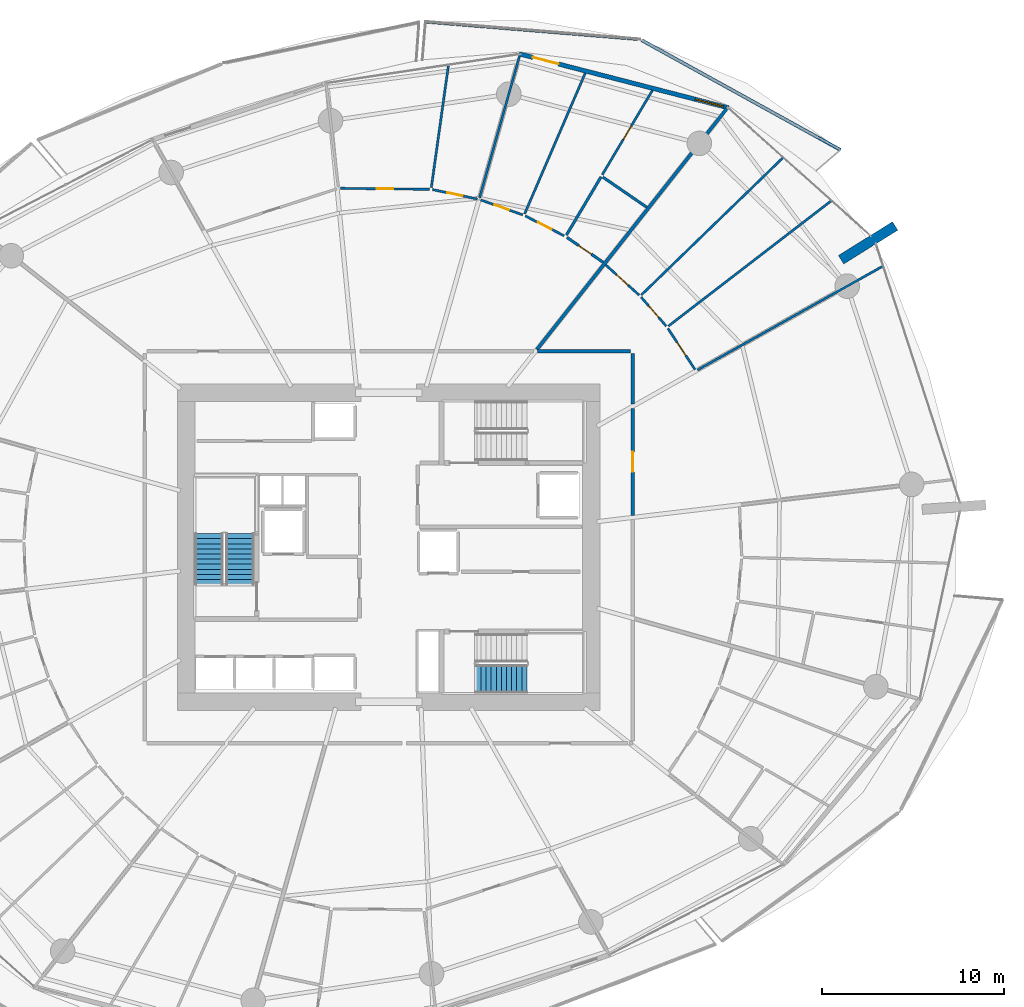
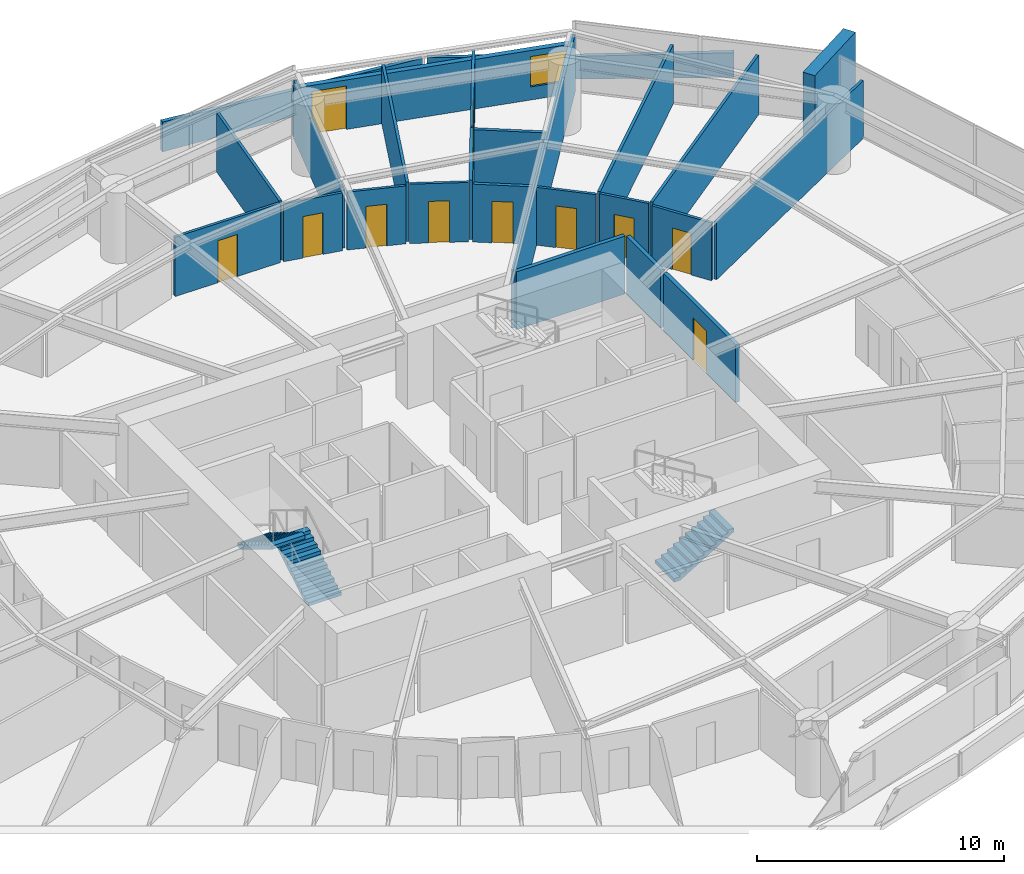
# One storey, part 22 of 30: 25 walls, 11 doors, 3 stair flights, 1 window, 12 openings, 2 elements without a shape of their own.
"""IFC4 building model written with IfcOpenShell, lengths in metres."""

from ifc_helpers import new_model, si_unit, direction, frame, frame_2d, origin, place, context, subcontext, project, spatial, polyline, rectangle, outline, extrude, material, layer, layer_set, type_object, element, fill, aggregate, save


model = new_model("IFC4")

# Units and contexts
model_context = context("Model", 3, precision=1e-05, world=origin(), true_north=direction((0.0, 1.0)))
body_context = subcontext(model_context, "Body", "Model", "MODEL_VIEW")
ifc_project = project(units=[si_unit("LENGTHUNIT", "METRE"), si_unit("AREAUNIT", "SQUARE_METRE"), si_unit("VOLUMEUNIT", "CUBIC_METRE"), si_unit("PLANEANGLEUNIT", "RADIAN"), si_unit("MASSUNIT", "GRAM", prefix="KILO")], contexts=[model_context])

# Site, building, storey
site_placement = place(None, origin())
site = spatial("IfcSite", under=ifc_project, at=site_placement, CompositionType="ELEMENT")
building_placement = place(site_placement, origin())
building = spatial("IfcBuilding", under=site, at=building_placement, Name="Kazma Halo Residences", CompositionType="ELEMENT")
storey_placement = place(building_placement, frame((0.0, 0.0, 56.39990234375)))
storey = spatial("IfcBuildingStorey", under=building, at=storey_placement, Name="L13", CompositionType="ELEMENT", Elevation=56.39990234375)

# Walls
ifc_material_1 = material(Name="White Concrete C50/60 Balustrade", Category="concrete")
ifc_layer_1 = layer(ifc_material_1, 0.179931640625)
ifc_layer_set_1 = layer_set([ifc_layer_1], Name="White Concrete C50/60 Balustrade")
wall_type_1 = type_object("IfcWallType", Name="WL-BAL-WAVE-180", PredefinedType="PARAPET", material=ifc_layer_set_1)
wall_1_placement = place(storey_placement, frame((73.197509765625, 63.7880859375, 0.0), z_axis=(0.0, 0.0, 1.0), x_axis=(-0.875453203816, 0.483302894599, 0.0)))
element("IfcWall", 1, at=wall_1_placement, inside=storey, type_object=wall_type_1, Name="L13 white wave balustrade wall NE.1", PredefinedType="PARAPET", context=body_context, shape_type="SweptSolid", body=[
    extrude(outline(polyline([(0.0, 0.0), (12.4462890625, 0.0), (12.4462890625, 1.148193359375), (6.22314453125, 1.127197265625), (0.0, 1.22412109375), (0.0, 0.0)])), frame((0.0, 0.08984375, 0.0), z_axis=(0.0, -1.0, 0.0), x_axis=(1.0, 0.0, 0.0)), (0.0, 0.0, 1.0), 0.179931640625),
])
wall_2_placement = place(storey_placement, frame((62.076416015625, 69.87109375, 0.0), z_axis=(0.0, 0.0, 1.0), x_axis=(-0.996665753963, 0.081592737892, 0.0)))
element("IfcWall", 2, at=wall_2_placement, inside=storey, type_object=wall_type_1, Name="L13 white wave balustrade wall NE.2", PredefinedType="PARAPET", context=body_context, shape_type="SweptSolid", body=[
    extrude(outline(polyline([(0.0, 0.0), (11.66943359375, 0.0), (11.669677734375, 1.483154296875), (5.8349609375, 1.2841796875), (0.0, 1.148193359375), (0.0, 0.0)])), frame((0.0, 0.08984375, 0.0), z_axis=(0.0, -1.0, 0.0), x_axis=(1.0, 0.0, 0.0)), (0.0, 0.0, 1.0), 0.179931640625),
])
ifc_material_2 = material(Name="Pale Concrete C60/75", Category="concrete")
ifc_layer_2 = layer(ifc_material_2, 0.550048828125)
ifc_layer_set_2 = layer_set([ifc_layer_2], Name="Pale Concrete C60/75")
wall_type_2 = type_object("IfcWallType", Name="WL-BLADE-550", PredefinedType="SOLIDWALL", material=ifc_layer_set_2)
wall_3_placement = place(storey_placement, frame((73.229736328125, 57.765380859375, 0.0), z_axis=(0.0, 0.0, 1.0), x_axis=(0.848053161125, 0.529911158502, 0.0)))
element("IfcWall", 3, at=wall_3_placement, inside=storey, type_object=wall_type_2, Name="L13 pale concrete structural blade fin wall BW-01", PredefinedType="SOLIDWALL", context=body_context, shape_type="SweptSolid", body=[
    extrude(rectangle(XDim=3.5, YDim=0.550048828125, at=frame_2d((1.75, 0.0))), origin(), (0.0, 0.0, 1.0), 3.75),
])
ifc_material_3 = material(Name="Acoustic Twin-Stud Gypsum")
ifc_layer_3 = layer(ifc_material_3, 0.179931640625)
ifc_layer_set_3 = layer_set([ifc_layer_3], Name="Acoustic Twin-Stud Gypsum")
wall_type_3 = type_object("IfcWallType", Name="WL-DEM-180", PredefinedType="PARTITIONING", material=ifc_layer_set_3)
wall_4_placement = place(storey_placement, frame((56.542724609375, 52.83642578125, 0.0), z_axis=(0.0, 0.0, 1.0), x_axis=(0.619091569947, 0.785318806614, 0.0)))
element("IfcWall", 4, at=wall_4_placement, inside=storey, type_object=wall_type_3, Name="L13 apartment demising radial wall 01", PredefinedType="PARTITIONING", context=body_context, shape_type="SweptSolid", body=[
    extrude(rectangle(XDim=16.87548828125, YDim=0.179931640625, at=frame_2d((8.437744140625, 0.0))), origin(), (0.0, 0.0, 1.0), 2.8671875),
])

# Wall, opening, door
wall_5_placement = place(storey_placement, frame((61.800048828125, 43.75341796875, 0.0), z_axis=(0.0, 0.0, 1.0), x_axis=(0.0, 1.0, 0.0)))
wall_5 = element("IfcWall", 5, at=wall_5_placement, inside=storey, type_object=wall_type_3, Name="L13 Apartment 4 entrance corridor wall", PredefinedType="PARTITIONING", context=body_context, shape_type="SweptSolid", body=[
    extrude(rectangle(XDim=5.85498046875, YDim=0.179931640625, at=frame_2d((2.927490234375, 0.0))), origin(), (0.0, 0.0, 1.0), 2.8671875),
])
opening_1_placement = place(wall_5_placement, frame((2.377685546875, 0.0, 0.0)))
opening_1 = element("IfcOpeningElement", 6, at=opening_1_placement, cuts=wall_5, Name="Opening DA-1100", PredefinedType="OPENING", context=body_context, shape_type="SweptSolid", body=[
    extrude(rectangle(XDim=1.10009765625, YDim=2.10009765625, at=frame_2d((0.550048828125, 1.050048828125))), frame((0.0, 0.099853515625, 0.0), z_axis=(0.0, -1.0, 0.0), x_axis=(1.0, 0.0, 0.0)), (0.0, 0.0, 1.0), 0.199951171875),
])
ifc_material_4 = material(Name="Acoustic Walnut Fire Leaf")
door_type_1 = type_object("IfcDoorType", Name="DR-FD60-1100", OperationType="NOTDEFINED", PredefinedType="DOOR", material=ifc_material_4)
door_1_placement = place(opening_1_placement, origin())
door_1 = element("IfcDoor", 7, at=door_1_placement, inside=storey, type_object=door_type_1, Name="L13 Apartment 4 entrance fire door", OperationType="SINGLE_SWING_RIGHT", OverallHeight=2.10009765625, OverallWidth=1.10009765625, PredefinedType="DOOR", context=body_context, shape_type="SweptSolid", body=[
    extrude(rectangle(XDim=1.10009765625, YDim=2.10009765625, at=frame_2d((0.550048828125, 1.050048828125))), frame((0.0, 0.02490234375, 0.0), z_axis=(0.0, -1.0, 0.0), x_axis=(1.0, 0.0, 0.0)), (0.0, 0.0, 1.0), 0.050048828125),
])
fill(opening_1, door_1)

# Walls
wall_6_placement = place(storey_placement, frame((61.800048828125, 49.848388671875, 0.0), z_axis=(0.0, 0.0, 1.0), x_axis=(0.0, 1.0, 0.0)))
element("IfcWall", 8, at=wall_6_placement, inside=storey, type_object=wall_type_3, Name="L13 Apartment 4 inner wall 0", PredefinedType="PARTITIONING", context=body_context, shape_type="SweptSolid", body=[
    extrude(rectangle(XDim=2.781494140625, YDim=0.179931640625, at=frame_2d((1.390625, 0.0))), origin(), (0.0, 0.0, 1.0), 2.8671875),
])
wall_7_placement = place(storey_placement, frame((61.679931640625, 52.75, 0.0), z_axis=(0.0, 0.0, 1.0), x_axis=(-1.0, 0.0, 0.0)))
element("IfcWall", 9, at=wall_7_placement, inside=storey, type_object=wall_type_3, Name="L13 Apartment 4 inner wall 0", PredefinedType="PARTITIONING", context=body_context, shape_type="SweptSolid", body=[
    extrude(rectangle(XDim=5.08544921875, YDim=0.179931640625, at=frame_2d((2.542724609375, 0.0))), origin(), (0.0, 0.0, 1.0), 2.8671875),
])

# Wall, openings, door, window
ifc_material_5 = material(Name="Insulated Pale-Metal Composite Wall")
ifc_layer_4 = layer(ifc_material_5, 0.239990234375)
ifc_layer_set_4 = layer_set([ifc_layer_4], Name="Insulated Pale-Metal Composite Wall")
wall_type_4 = type_object("IfcWallType", Name="WL-EXT-HOST-240", PredefinedType="SOLIDWALL", material=ifc_layer_set_4)
wall_8_placement = place(storey_placement, frame((67.05419921875, 66.09619140625, 0.0), z_axis=(0.0, 0.0, 1.0), x_axis=(-0.96833871487, 0.249640007378, 0.0)))
wall_8 = element("IfcWall", 10, at=wall_8_placement, inside=storey, type_object=wall_type_4, Name="L13 exterior terrace-access wall B02", PredefinedType="SOLIDWALL", context=body_context, shape_type="SweptSolid", body=[
    extrude(rectangle(XDim=11.85107421875, YDim=0.239990234375, at=frame_2d((5.925537109375, 0.0))), origin(), (0.0, 0.0, 1.0), 2.4501953125),
])
opening_2_placement = place(wall_8_placement, frame((9.631103515625, 0.0, 0.0)))
opening_2 = element("IfcOpeningElement", 11, at=opening_2_placement, cuts=wall_8, Name="Opening DTR-1600", PredefinedType="OPENING", context=body_context, shape_type="SweptSolid", body=[
    extrude(rectangle(XDim=1.449951171875, YDim=2.14990234375, at=frame_2d((0.72509765625, 1.074951171875))), frame((0.0, 0.1298828125, 0.0), z_axis=(0.0, -1.0, 0.0), x_axis=(1.0, 0.0, 0.0)), (0.0, 0.0, 1.0), 0.260009765625),
])
opening_3_placement = place(wall_8_placement, frame((0.280029296875, 0.0, 0.64990234375)))
opening_3 = element("IfcOpeningElement", 12, at=opening_3_placement, cuts=wall_8, Name="Opening W-1800", PredefinedType="OPENING", context=body_context, shape_type="SweptSolid", body=[
    extrude(rectangle(XDim=1.60009765625, YDim=1.5, at=frame_2d((0.800048828125, 0.75))), frame((0.0, 0.1298828125, 0.0), z_axis=(0.0, -1.0, 0.0), x_axis=(1.0, 0.0, 0.0)), (0.0, 0.0, 1.0), 0.260009765625),
])
ifc_material_6 = material(Name="Aluminium AW-6063 T6 Double-Glazed Terrace Door", Category="aluminium")
door_type_2 = type_object("IfcDoorType", Name="DR-EXT-TERR-1600", OperationType="NOTDEFINED", PredefinedType="DOOR", material=ifc_material_6)
door_2_placement = place(opening_2_placement, origin())
door_2 = element("IfcDoor", 13, at=door_2_placement, inside=storey, type_object=door_type_2, Name="L13 B02 balcony terrace door", OperationType="DOUBLE_DOOR_SLIDING", OverallHeight=2.14990234375, OverallWidth=1.449951171875, PredefinedType="DOOR", context=body_context, shape_type="SweptSolid", body=[
    extrude(rectangle(XDim=1.449951171875, YDim=2.14990234375, at=frame_2d((0.72509765625, 1.074951171875))), frame((0.0, 0.02490234375, 0.0), z_axis=(0.0, -1.0, 0.0), x_axis=(1.0, 0.0, 0.0)), (0.0, 0.0, 1.0), 0.050048828125),
])
fill(opening_2, door_2)
ifc_material_7 = material(Name="Clear Triple-Silver Low-E Glass in Aluminium AW-6063 T6 Frame", Category="aluminium")
window_type = type_object("IfcWindowType", Name="WIN-RES-1800", PartitioningType="DOUBLE_PANEL_VERTICAL", PredefinedType="WINDOW", material=ifc_material_7)
window_placement = place(opening_3_placement, origin())
window = element("IfcWindow", 14, at=window_placement, inside=storey, type_object=window_type, Name="L13 B02 apartment window", OverallHeight=1.5, OverallWidth=1.60009765625, PartitioningType="SINGLE_PANEL", PredefinedType="WINDOW", context=body_context, shape_type="SweptSolid", body=[
    extrude(rectangle(XDim=1.60009765625, YDim=1.5, at=frame_2d((0.800048828125, 0.75))), frame((0.0, 0.030029296875, 0.0), z_axis=(0.0, -1.0, 0.0), x_axis=(1.0, 0.0, 0.0)), (0.0, 0.0, 1.0), 0.06005859375),
])
fill(opening_3, window)

# Wall, opening, door
ifc_material_8 = material(Name="Gypsum Plasterboard Partition")
ifc_layer_5 = layer(ifc_material_8, 0.125)
ifc_layer_set_5 = layer_set([ifc_layer_5], Name="Gypsum Plasterboard Partition")
wall_type_5 = type_object("IfcWallType", Name="WL-PART-125", PredefinedType="PARTITIONING", material=ifc_layer_set_5)
wall_9_placement = place(storey_placement, frame((60.135009765625, 62.427490234375, 0.0), z_axis=(0.0, 0.0, 1.0), x_axis=(0.510709816394, 0.859753152619, 0.0)))
wall_9 = element("IfcWall", 15, at=wall_9_placement, inside=storey, type_object=wall_type_5, Name="L13 Apartment 1 Utility Laundry Room partition wall", PredefinedType="PARTITIONING", context=body_context, shape_type="SweptSolid", body=[
    extrude(rectangle(XDim=5.37451171875, YDim=0.125, at=frame_2d((2.687255859375, 0.0))), origin(), (0.0, 0.0, 1.0), 2.940185546875),
])
opening_4_placement = place(wall_9_placement, frame((2.262451171875, 0.0, 0.0)))
opening_4 = element("IfcOpeningElement", 16, at=opening_4_placement, cuts=wall_9, Name="Opening DB-900", PredefinedType="OPENING", context=body_context, shape_type="SweptSolid", body=[
    extrude(rectangle(XDim=0.85009765625, YDim=2.06005859375, at=frame_2d((0.425048828125, 1.030029296875))), frame((0.0, 0.072509765625, 0.0), z_axis=(0.0, -1.0, 0.0), x_axis=(1.0, 0.0, 0.0)), (0.0, 0.0, 1.0), 0.14501953125),
])
ifc_material_9 = material(Name="Moisture-Sealed Timber Leaf", Category="wood")
door_type_3 = type_object("IfcDoorType", Name="DR-BTH-900", OperationType="NOTDEFINED", PredefinedType="DOOR", material=ifc_material_9)
door_3_placement = place(opening_4_placement, origin())
door_3 = element("IfcDoor", 17, at=door_3_placement, inside=storey, type_object=door_type_3, Name="L13 Apartment 1 Utility Laundry Room door", OperationType="SINGLE_SWING_RIGHT", OverallHeight=2.06005859375, OverallWidth=0.85009765625, PredefinedType="DOOR", context=body_context, shape_type="SweptSolid", body=[
    extrude(rectangle(XDim=0.85009765625, YDim=2.06005859375, at=frame_2d((0.425048828125, 1.030029296875))), frame((0.0, 0.02490234375, 0.0), z_axis=(0.0, -1.0, 0.0), x_axis=(1.0, 0.0, 0.0)), (0.0, 0.0, 1.0), 0.050048828125),
])
fill(opening_4, door_3)

# Wall
wall_10_placement = place(storey_placement, frame((55.877197265625, 60.285400390625, 0.0), z_axis=(0.0, 0.0, 1.0), x_axis=(0.395645788366, 0.918403184962, 0.0)))
element("IfcWall", 18, at=wall_10_placement, inside=storey, type_object=wall_type_5, Name="L13 Apartment 1 suite divider 1", PredefinedType="PARTITIONING", context=body_context, shape_type="SweptSolid", body=[
    extrude(rectangle(XDim=8.393310546875, YDim=0.125, at=frame_2d((4.19677734375, 0.0))), origin(), (0.0, 0.0, 1.0), 2.940185546875),
])

# Wall, opening, door
wall_11_placement = place(storey_placement, frame((58.04248046875, 59.0810546875, 0.0), z_axis=(0.0, 0.0, 1.0), x_axis=(-0.890948282324, 0.454104787712, 0.0)))
wall_11 = element("IfcWall", 19, at=wall_11_placement, inside=storey, type_object=wall_type_5, Name="L13 Apartment 1 Gourmet Kitchen hall wall", PredefinedType="PARTITIONING", context=body_context, shape_type="SweptSolid", body=[
    extrude(rectangle(XDim=2.390380859375, YDim=0.125, at=frame_2d((1.1953125, 0.0))), origin(), (0.0, 0.0, 1.0), 2.940185546875),
])
opening_5_placement = place(wall_11_placement, frame((0.77001953125, 0.0, 0.0)))
opening_5 = element("IfcOpeningElement", 20, at=opening_5_placement, cuts=wall_11, Name="Opening DB-900", PredefinedType="OPENING", context=body_context, shape_type="SweptSolid", body=[
    extrude(rectangle(XDim=0.85009765625, YDim=2.06005859375, at=frame_2d((0.425048828125, 1.030029296875))), frame((0.0, 0.072509765625, 0.0), z_axis=(0.0, -1.0, 0.0), x_axis=(1.0, 0.0, 0.0)), (0.0, 0.0, 1.0), 0.14501953125),
])
door_4_placement = place(opening_5_placement, origin())
door_4 = element("IfcDoor", 21, at=door_4_placement, inside=storey, type_object=door_type_3, Name="L13 Apartment 1 Gourmet Kitchen door", OperationType="SINGLE_SWING_LEFT", OverallHeight=2.06005859375, OverallWidth=0.85009765625, PredefinedType="DOOR", context=body_context, shape_type="SweptSolid", body=[
    extrude(rectangle(XDim=0.85009765625, YDim=2.06005859375, at=frame_2d((0.425048828125, 1.030029296875))), frame((0.0, 0.02490234375, 0.0), z_axis=(0.0, -1.0, 0.0), x_axis=(1.0, 0.0, 0.0)), (0.0, 0.0, 1.0), 0.050048828125),
])
fill(opening_5, door_4)

wall_12_placement = place(storey_placement, frame((55.76611328125, 60.2294921875, 0.0), z_axis=(0.0, 0.0, 1.0), x_axis=(-0.942466522186, 0.334300545258, 0.0)))
wall_12 = element("IfcWall", 22, at=wall_12_placement, inside=storey, type_object=wall_type_5, Name="L13 Apartment 1 Primary Bedroom hall wall", PredefinedType="PARTITIONING", context=body_context, shape_type="SweptSolid", body=[
    extrude(rectangle(XDim=2.431884765625, YDim=0.125, at=frame_2d((1.2158203125, 0.0))), origin(), (0.0, 0.0, 1.0), 2.8671875),
])
opening_6_placement = place(wall_12_placement, frame((0.791015625, 0.0, 0.0)))
opening_6 = element("IfcOpeningElement", 23, at=opening_6_placement, cuts=wall_12, Name="Opening DB-900", PredefinedType="OPENING", context=body_context, shape_type="SweptSolid", body=[
    extrude(rectangle(XDim=0.85009765625, YDim=2.06005859375, at=frame_2d((0.425048828125, 1.030029296875))), frame((0.0, 0.072509765625, 0.0), z_axis=(0.0, -1.0, 0.0), x_axis=(1.0, 0.0, 0.0)), (0.0, 0.0, 1.0), 0.14501953125),
])
door_5_placement = place(opening_6_placement, origin())
door_5 = element("IfcDoor", 24, at=door_5_placement, inside=storey, type_object=door_type_3, Name="L13 Apartment 1 Primary Bedroom door", OperationType="SINGLE_SWING_RIGHT", OverallHeight=2.06005859375, OverallWidth=0.85009765625, PredefinedType="DOOR", context=body_context, shape_type="SweptSolid", body=[
    extrude(rectangle(XDim=0.85009765625, YDim=2.06005859375, at=frame_2d((0.425048828125, 1.030029296875))), frame((0.0, 0.02490234375, 0.0), z_axis=(0.0, -1.0, 0.0), x_axis=(1.0, 0.0, 0.0)), (0.0, 0.0, 1.0), 0.050048828125),
])
fill(opening_6, door_5)

# Walls
wall_13_placement = place(storey_placement, frame((53.406982421875, 61.172119140625, 0.0), z_axis=(0.0, 0.0, 1.0), x_axis=(0.271455844128, 0.96245089469, 0.0)))
element("IfcWall", 25, at=wall_13_placement, inside=storey, type_object=wall_type_5, Name="L13 Apartment 1 radial partition 2", PredefinedType="PARTITIONING", context=body_context, shape_type="SweptSolid", body=[
    extrude(rectangle(XDim=8.052001953125, YDim=0.125, at=frame_2d((4.02587890625, 0.0))), origin(), (0.0, 0.0, 1.0), 2.8671875),
])
wall_14_placement = place(storey_placement, frame((50.7587890625, 61.718017578125, 0.0), z_axis=(0.0, 0.0, 1.0), x_axis=(0.138600482332, 0.990348376228, 0.0)))
element("IfcWall", 26, at=wall_14_placement, inside=storey, type_object=wall_type_5, Name="L13 Apartment 1 mid-bay wall 2", PredefinedType="PARTITIONING", context=body_context, shape_type="SweptSolid", body=[
    extrude(rectangle(XDim=6.774658203125, YDim=0.125, at=frame_2d((3.38720703125, 0.0))), origin(), (0.0, 0.0, 1.0), 2.940185546875),
])

# Wall, opening, door
wall_15_placement = place(storey_placement, frame((53.281982421875, 61.096435546875, 0.0), z_axis=(0.0, 0.0, 1.0), x_axis=(-0.978666206656, 0.205456700911, 0.0)))
wall_15 = element("IfcWall", 27, at=wall_15_placement, inside=storey, type_object=wall_type_5, Name="L13 Apartment 1 Primary Dressing Wardrobe hall wall", PredefinedType="PARTITIONING", context=body_context, shape_type="SweptSolid", body=[
    extrude(rectangle(XDim=2.5107421875, YDim=0.125, at=frame_2d((1.25537109375, 0.0))), origin(), (0.0, 0.0, 1.0), 2.8671875),
])
opening_7_placement = place(wall_15_placement, frame((0.830322265625, 0.0, 0.0)))
opening_7 = element("IfcOpeningElement", 28, at=opening_7_placement, cuts=wall_15, Name="Opening DB-900", PredefinedType="OPENING", context=body_context, shape_type="SweptSolid", body=[
    extrude(rectangle(XDim=0.85009765625, YDim=2.06005859375, at=frame_2d((0.425048828125, 1.030029296875))), frame((0.0, 0.072509765625, 0.0), z_axis=(0.0, -1.0, 0.0), x_axis=(1.0, 0.0, 0.0)), (0.0, 0.0, 1.0), 0.14501953125),
])
door_6_placement = place(opening_7_placement, origin())
door_6 = element("IfcDoor", 29, at=door_6_placement, inside=storey, type_object=door_type_3, Name="L13 Apartment 1 Primary Dressing Wardrobe door", OperationType="SINGLE_SWING_RIGHT", OverallHeight=2.06005859375, OverallWidth=0.85009765625, PredefinedType="DOOR", context=body_context, shape_type="SweptSolid", body=[
    extrude(rectangle(XDim=0.85009765625, YDim=2.06005859375, at=frame_2d((0.425048828125, 1.030029296875))), frame((0.0, 0.02490234375, 0.0), z_axis=(0.0, -1.0, 0.0), x_axis=(1.0, 0.0, 0.0)), (0.0, 0.0, 1.0), 0.050048828125),
])
fill(opening_7, door_6)

wall_16_placement = place(storey_placement, frame((50.66650390625, 61.629638671875, 0.0), z_axis=(0.0, 0.0, 1.0), x_axis=(-0.999944126831, 0.010570866405, 0.0)))
wall_16 = element("IfcWall", 30, at=wall_16_placement, inside=storey, type_object=wall_type_5, Name="L13 Apartment 1 Secondary Master Bedroom hall wall", PredefinedType="PARTITIONING", context=body_context, shape_type="SweptSolid", body=[
    extrude(rectangle(XDim=4.896240234375, YDim=0.125, at=frame_2d((2.4482421875, 0.0))), origin(), (0.0, 0.0, 1.0), 2.940185546875),
])
opening_8_placement = place(wall_16_placement, frame((1.998046875, 0.0, 0.0)))
opening_8 = element("IfcOpeningElement", 31, at=opening_8_placement, cuts=wall_16, Name="Opening DI-950", PredefinedType="OPENING", context=body_context, shape_type="SweptSolid", body=[
    extrude(rectangle(XDim=0.89990234375, YDim=2.080078125, at=frame_2d((0.449951171875, 1.0400390625))), frame((0.0, 0.072509765625, 0.0), z_axis=(0.0, -1.0, 0.0), x_axis=(1.0, 0.0, 0.0)), (0.0, 0.0, 1.0), 0.14501953125),
])
ifc_material_10 = material(Name="Timber Veneer Flush Leaf", Category="wood")
door_type_4 = type_object("IfcDoorType", Name="DR-INT-950", OperationType="NOTDEFINED", PredefinedType="DOOR", material=ifc_material_10)
door_7_placement = place(opening_8_placement, origin())
door_7 = element("IfcDoor", 32, at=door_7_placement, inside=storey, type_object=door_type_4, Name="L13 Apartment 1 Secondary Master Bedroom door", OperationType="SINGLE_SWING_LEFT", OverallHeight=2.080078125, OverallWidth=0.89990234375, PredefinedType="DOOR", context=body_context, shape_type="SweptSolid", body=[
    extrude(rectangle(XDim=0.89990234375, YDim=2.080078125, at=frame_2d((0.449951171875, 1.0400390625))), frame((0.0, 0.02490234375, 0.0), z_axis=(0.0, -1.0, 0.0), x_axis=(1.0, 0.0, 0.0)), (0.0, 0.0, 1.0), 0.050048828125),
])
fill(opening_8, door_7)

# Walls
wall_17_placement = place(storey_placement, frame((65.3564453125, 51.72021484375, 0.0), z_axis=(0.0, 0.0, 1.0), x_axis=(0.872502798549, 0.488609114246, 0.0)))
element("IfcWall", 33, at=wall_17_placement, inside=storey, type_object=wall_type_5, Name="L13 Apartment 4 radial partition 0", PredefinedType="PARTITIONING", context=body_context, shape_type="SweptSolid", body=[
    extrude(rectangle(XDim=11.645751953125, YDim=0.125, at=frame_2d((5.82275390625, 0.0))), origin(), (0.0, 0.0, 1.0), 2.8671875),
])
wall_18_placement = place(storey_placement, frame((63.75830078125, 54.124755859375, 0.0), z_axis=(0.0, 0.0, 1.0), x_axis=(0.792564305335, 0.609788341893, 0.0)))
element("IfcWall", 34, at=wall_18_placement, inside=storey, type_object=wall_type_5, Name="L13 Apartment 4 bay wall 1 0", PredefinedType="PARTITIONING", context=body_context, shape_type="SweptSolid", body=[
    extrude(rectangle(XDim=11.253662109375, YDim=0.125, at=frame_2d((5.626953125, 0.0))), origin(), (0.0, 0.0, 1.0), 2.940185546875),
])
wall_19_placement = place(storey_placement, frame((62.278564453125, 55.8369140625, 0.0), z_axis=(0.0, 0.0, 1.0), x_axis=(0.718126223804, 0.695912872912, 0.0)))
element("IfcWall", 35, at=wall_19_placement, inside=storey, type_object=wall_type_5, Name="L13 Apartment 4 bay wall 2 0", PredefinedType="PARTITIONING", context=body_context, shape_type="SweptSolid", body=[
    extrude(rectangle(XDim=10.803955078125, YDim=0.125, at=frame_2d((5.40185546875, 0.0))), origin(), (0.0, 0.0, 1.0), 2.940185546875),
])

# Wall, opening, door
wall_20_placement = place(storey_placement, frame((65.22509765625, 51.738037109375, 0.0), z_axis=(0.0, 0.0, 1.0), x_axis=(-0.550602750552, 0.83476739939, 0.0)))
wall_20 = element("IfcWall", 36, at=wall_20_placement, inside=storey, type_object=wall_type_5, Name="L13 Apartment 4 East Master Bedroom hall wall", PredefinedType="PARTITIONING", context=body_context, shape_type="SweptSolid", body=[
    extrude(rectangle(XDim=2.713134765625, YDim=0.125, at=frame_2d((1.3564453125, 0.0))), origin(), (0.0, 0.0, 1.0), 2.8671875),
])
opening_9_placement = place(wall_20_placement, frame((0.931640625, 0.0, 0.0)))
opening_9 = element("IfcOpeningElement", 37, at=opening_9_placement, cuts=wall_20, Name="Opening DB-900", PredefinedType="OPENING", context=body_context, shape_type="SweptSolid", body=[
    extrude(rectangle(XDim=0.85009765625, YDim=2.06005859375, at=frame_2d((0.425048828125, 1.030029296875))), frame((0.0, 0.072509765625, 0.0), z_axis=(0.0, -1.0, 0.0), x_axis=(1.0, 0.0, 0.0)), (0.0, 0.0, 1.0), 0.14501953125),
])
door_8_placement = place(opening_9_placement, origin())
door_8 = element("IfcDoor", 38, at=door_8_placement, inside=storey, type_object=door_type_3, Name="L13 Apartment 4 East Master Bedroom door", OperationType="SINGLE_SWING_LEFT", OverallHeight=2.06005859375, OverallWidth=0.85009765625, PredefinedType="DOOR", context=body_context, shape_type="SweptSolid", body=[
    extrude(rectangle(XDim=0.85009765625, YDim=2.06005859375, at=frame_2d((0.425048828125, 1.030029296875))), frame((0.0, 0.02490234375, 0.0), z_axis=(0.0, -1.0, 0.0), x_axis=(1.0, 0.0, 0.0)), (0.0, 0.0, 1.0), 0.050048828125),
])
fill(opening_9, door_8)

wall_21_placement = place(storey_placement, frame((63.634765625, 54.13037109375, 0.0), z_axis=(0.0, 0.0, 1.0), x_axis=(-0.653975151298, 0.756516028571, 0.0)))
wall_21 = element("IfcWall", 39, at=wall_21_placement, inside=storey, type_object=wall_type_5, Name="L13 Apartment 4 West Dressing Wardrobe hall wall", PredefinedType="PARTITIONING", context=body_context, shape_type="SweptSolid", body=[
    extrude(rectangle(XDim=2.0927734375, YDim=0.125, at=frame_2d((1.04638671875, 0.0))), origin(), (0.0, 0.0, 1.0), 2.940185546875),
])
opening_10_placement = place(wall_21_placement, frame((0.621337890625, 0.0, 0.0)))
opening_10 = element("IfcOpeningElement", 40, at=opening_10_placement, cuts=wall_21, Name="Opening DB-900", PredefinedType="OPENING", context=body_context, shape_type="SweptSolid", body=[
    extrude(rectangle(XDim=0.85009765625, YDim=2.06005859375, at=frame_2d((0.425048828125, 1.030029296875))), frame((0.0, 0.072509765625, 0.0), z_axis=(0.0, -1.0, 0.0), x_axis=(1.0, 0.0, 0.0)), (0.0, 0.0, 1.0), 0.14501953125),
])
door_9_placement = place(opening_10_placement, origin())
door_9 = element("IfcDoor", 41, at=door_9_placement, inside=storey, type_object=door_type_3, Name="L13 Apartment 4 West Dressing Wardrobe door", OperationType="SINGLE_SWING_RIGHT", OverallHeight=2.06005859375, OverallWidth=0.85009765625, PredefinedType="DOOR", context=body_context, shape_type="SweptSolid", body=[
    extrude(rectangle(XDim=0.85009765625, YDim=2.06005859375, at=frame_2d((0.425048828125, 1.030029296875))), frame((0.0, 0.02490234375, 0.0), z_axis=(0.0, -1.0, 0.0), x_axis=(1.0, 0.0, 0.0)), (0.0, 0.0, 1.0), 0.050048828125),
])
fill(opening_10, door_9)

wall_22_placement = place(storey_placement, frame((62.154541015625, 55.827880859375, 0.0), z_axis=(0.0, 0.0, 1.0), x_axis=(-0.742299992765, 0.670067698626, 0.0)))
wall_22 = element("IfcWall", 42, at=wall_22_placement, inside=storey, type_object=wall_type_5, Name="L13 Apartment 4 North Bedroom hall wall", PredefinedType="PARTITIONING", context=body_context, shape_type="SweptSolid", body=[
    extrude(rectangle(XDim=2.48095703125, YDim=0.125, at=frame_2d((1.240478515625, 0.0))), origin(), (0.0, 0.0, 1.0), 2.8671875),
])
opening_11_placement = place(wall_22_placement, frame((0.8154296875, 0.0, 0.0)))
opening_11 = element("IfcOpeningElement", 43, at=opening_11_placement, cuts=wall_22, Name="Opening DB-900", PredefinedType="OPENING", context=body_context, shape_type="SweptSolid", body=[
    extrude(rectangle(XDim=0.85009765625, YDim=2.06005859375, at=frame_2d((0.425048828125, 1.030029296875))), frame((0.0, 0.072509765625, 0.0), z_axis=(0.0, -1.0, 0.0), x_axis=(1.0, 0.0, 0.0)), (0.0, 0.0, 1.0), 0.14501953125),
])
door_10_placement = place(opening_11_placement, origin())
door_10 = element("IfcDoor", 44, at=door_10_placement, inside=storey, type_object=door_type_3, Name="L13 Apartment 4 North Bedroom door", OperationType="SINGLE_SWING_LEFT", OverallHeight=2.06005859375, OverallWidth=0.85009765625, PredefinedType="DOOR", context=body_context, shape_type="SweptSolid", body=[
    extrude(rectangle(XDim=0.85009765625, YDim=2.06005859375, at=frame_2d((0.425048828125, 1.030029296875))), frame((0.0, 0.02490234375, 0.0), z_axis=(0.0, -1.0, 0.0), x_axis=(1.0, 0.0, 0.0)), (0.0, 0.0, 1.0), 0.050048828125),
])
fill(opening_11, door_10)

ifc_material_11 = material(Name="Moisture-Resistant Gypsum")
ifc_layer_6 = layer(ifc_material_11, 0.14990234375)
ifc_layer_set_6 = layer_set([ifc_layer_6], Name="Moisture-Resistant Gypsum")
wall_type_6 = type_object("IfcWallType", Name="WL-WET-150", PredefinedType="PARTITIONING", material=ifc_layer_set_6)
wall_23_placement = place(storey_placement, frame((60.18798828125, 57.62158203125, 0.0), z_axis=(0.0, 0.0, 1.0), x_axis=(-0.824304321031, 0.566146965309, 0.0)))
wall_23 = element("IfcWall", 45, at=wall_23_placement, inside=storey, type_object=wall_type_6, Name="L13 Apartment 1 Guest Bathroom hall wall", PredefinedType="PARTITIONING", context=body_context, shape_type="SweptSolid", body=[
    extrude(rectangle(XDim=2.415283203125, YDim=0.14990234375, at=frame_2d((1.20751953125, 0.0))), origin(), (0.0, 0.0, 1.0), 2.8671875),
])
opening_12_placement = place(wall_23_placement, frame((0.78271484375, 0.0, 0.0)))
opening_12 = element("IfcOpeningElement", 46, at=opening_12_placement, cuts=wall_23, Name="Opening DB-900", PredefinedType="OPENING", context=body_context, shape_type="SweptSolid", body=[
    extrude(rectangle(XDim=0.85009765625, YDim=2.06005859375, at=frame_2d((0.425048828125, 1.030029296875))), frame((0.0, 0.0849609375, 0.0), z_axis=(0.0, -1.0, 0.0), x_axis=(1.0, 0.0, 0.0)), (0.0, 0.0, 1.0), 0.169921875),
])
door_11_placement = place(opening_12_placement, origin())
door_11 = element("IfcDoor", 47, at=door_11_placement, inside=storey, type_object=door_type_3, Name="L13 Apartment 1 Guest Bathroom door", OperationType="SINGLE_SWING_LEFT", OverallHeight=2.06005859375, OverallWidth=0.85009765625, PredefinedType="DOOR", context=body_context, shape_type="SweptSolid", body=[
    extrude(rectangle(XDim=0.85009765625, YDim=2.06005859375, at=frame_2d((0.425048828125, 1.030029296875))), frame((0.0, 0.02490234375, 0.0), z_axis=(0.0, -1.0, 0.0), x_axis=(1.0, 0.0, 0.0)), (0.0, 0.0, 1.0), 0.050048828125),
])
fill(opening_12, door_11)

# Walls
wall_24_placement = place(storey_placement, frame((62.571533203125, 60.64501953125, 0.0), z_axis=(0.0, 0.0, 1.0), x_axis=(-0.824322204606, 0.566120926123, 0.0)))
element("IfcWall", 48, at=wall_24_placement, inside=storey, type_object=wall_type_6, Name="L13 Apartment 1 Guest Bathroom back wall", PredefinedType="PARTITIONING", context=body_context, shape_type="SweptSolid", body=[
    extrude(rectangle(XDim=2.921630859375, YDim=0.14990234375, at=frame_2d((1.4609375, 0.0))), origin(), (0.0, 0.0, 1.0), 2.8671875),
])
wall_25_placement = place(storey_placement, frame((58.168701171875, 59.117431640625, 0.0), z_axis=(0.0, 0.0, 1.0), x_axis=(0.510726768545, 0.859743082491, 0.0)))
element("IfcWall", 49, at=wall_25_placement, inside=storey, type_object=wall_type_6, Name="L13 Apartment 1 Guest Bathroom side wall", PredefinedType="PARTITIONING", context=body_context, shape_type="SweptSolid", body=[
    extrude(rectangle(XDim=3.719970703125, YDim=0.14990234375, at=frame_2d((1.85986328125, 0.0))), origin(), (0.0, 0.0, 1.0), 2.940185546875),
])

# Stair, stair flights
ifc_material_12 = material(Name="Concrete C50/60", Category="concrete")
stair_type = type_object("IfcStairType", Name="STR-RES1", PredefinedType="HALF_TURN_STAIR", material=ifc_material_12)
stair_1_placement = place(storey_placement, origin())
stair_1 = element("IfcStair", 50, at=stair_1_placement, inside=storey, type_object=stair_type, Name="L13 Core exit stair ST-01", PredefinedType="HALF_TURN_STAIR")
stair_flight_type = type_object("IfcStairFlightType", Name="STR-RES1-FLT", PredefinedType="STRAIGHT", material=ifc_material_12)
stair_flight_1_placement = place(storey_placement, frame((40.27490234375, 39.949951171875, 0.0), z_axis=(0.0, 0.0, 1.0), x_axis=(0.0, 1.0, 0.0)))
stair_flight_1 = element("IfcStairFlight", 51, at=stair_flight_1_placement, type_object=stair_flight_type, Name="ST-01 flight 1", NumberOfRisers=11, NumberOfTreads=10, PredefinedType="STRAIGHT", RiserHeight=0.170454545, TreadLength=0.28, context=body_context, shape_type="SweptSolid", body=[
    extrude(outline(polyline([(0.0, 0.0), (0.0, 0.17041015625), (0.280029296875, 0.17041015625), (0.280029296875, 0.3408203125), (0.56005859375, 0.3408203125), (0.56005859375, 0.511474609375), (0.840087890625, 0.511474609375), (0.840087890625, 0.681884765625), (1.1201171875, 0.681884765625), (1.1201171875, 0.852294921875), (1.39990234375, 0.852294921875), (1.39990234375, 1.022705078125), (1.679931640625, 1.022705078125), (1.679931640625, 1.193115234375), (1.9599609375, 1.193115234375), (1.9599609375, 1.363525390625), (2.239990234375, 1.363525390625), (2.239990234375, 1.5341796875), (2.52001953125, 1.5341796875), (2.52001953125, 1.70458984375), (2.800048828125, 1.70458984375), (2.800048828125, 1.875), (2.800048828125, 1.529052734375), (0.288330078125, 0.0), (0.0, 0.0)])), frame((0.0, 0.77490234375, 0.0), z_axis=(0.0, -1.0, 0.0), x_axis=(1.0, 0.0, 0.0)), (0.0, 0.0, 1.0), 1.550048828125),
])
stair_flight_2_placement = place(storey_placement, frame((38.574951171875, 42.75, 1.875), z_axis=(0.0, 0.0, 1.0), x_axis=(0.0, -1.0, 0.0)))
stair_flight_2 = element("IfcStairFlight", 52, at=stair_flight_2_placement, type_object=stair_flight_type, Name="ST-01 flight 2", NumberOfRisers=11, NumberOfTreads=10, PredefinedType="STRAIGHT", RiserHeight=0.170454545, TreadLength=0.28, context=body_context, shape_type="SweptSolid", body=[
    extrude(outline(polyline([(0.0, 0.0), (0.0, 0.17041015625), (0.280029296875, 0.17041015625), (0.280029296875, 0.3408203125), (0.56005859375, 0.3408203125), (0.56005859375, 0.511474609375), (0.840087890625, 0.511474609375), (0.840087890625, 0.681884765625), (1.1201171875, 0.681884765625), (1.1201171875, 0.852294921875), (1.39990234375, 0.852294921875), (1.39990234375, 1.022705078125), (1.679931640625, 1.022705078125), (1.679931640625, 1.193115234375), (1.9599609375, 1.193115234375), (1.9599609375, 1.363525390625), (2.239990234375, 1.363525390625), (2.239990234375, 1.5341796875), (2.52001953125, 1.5341796875), (2.52001953125, 1.70458984375), (2.800048828125, 1.70458984375), (2.800048828125, 1.875), (2.800048828125, 1.529052734375), (0.288330078125, 0.0), (0.0, 0.0)])), frame((0.0, 0.77490234375, 0.0), z_axis=(0.0, -1.0, 0.0), x_axis=(1.0, 0.0, 0.0)), (0.0, 0.0, 1.0), 1.550048828125),
])
aggregate(stair_1, [stair_flight_1, stair_flight_2])

# Stair, stair flight
stair_2_placement = place(storey_placement, origin())
stair_2 = element("IfcStair", 53, at=stair_2_placement, inside=storey, type_object=stair_type, Name="L13 Core exit stair ST-03", PredefinedType="HALF_TURN_STAIR")
stair_flight_3_placement = place(storey_placement, frame((53.199951171875, 34.77490234375, 0.0), z_axis=(0.0, 0.0, 1.0), x_axis=(1.0, 0.0, 0.0)))
stair_flight_3 = element("IfcStairFlight", 54, at=stair_flight_3_placement, type_object=stair_flight_type, Name="ST-03 flight 1", NumberOfRisers=11, NumberOfTreads=10, PredefinedType="STRAIGHT", RiserHeight=0.170454545, TreadLength=0.28, context=body_context, shape_type="SweptSolid", body=[
    extrude(outline(polyline([(0.0, 0.0), (0.0, 0.17041015625), (0.280029296875, 0.17041015625), (0.280029296875, 0.3408203125), (0.56005859375, 0.3408203125), (0.56005859375, 0.511474609375), (0.840087890625, 0.511474609375), (0.840087890625, 0.681884765625), (1.1201171875, 0.681884765625), (1.1201171875, 0.852294921875), (1.39990234375, 0.852294921875), (1.39990234375, 1.022705078125), (1.679931640625, 1.022705078125), (1.679931640625, 1.193115234375), (1.9599609375, 1.193115234375), (1.9599609375, 1.363525390625), (2.239990234375, 1.363525390625), (2.239990234375, 1.5341796875), (2.52001953125, 1.5341796875), (2.52001953125, 1.70458984375), (2.800048828125, 1.70458984375), (2.800048828125, 1.875), (2.800048828125, 1.529052734375), (0.288330078125, 0.0), (0.0, 0.0)])), frame((0.0, 0.77490234375, 0.0), z_axis=(0.0, -1.0, 0.0), x_axis=(1.0, 0.0, 0.0)), (0.0, 0.0, 1.0), 1.550048828125),
])
aggregate(stair_2, [stair_flight_3])

save(model, "model.ifc")
